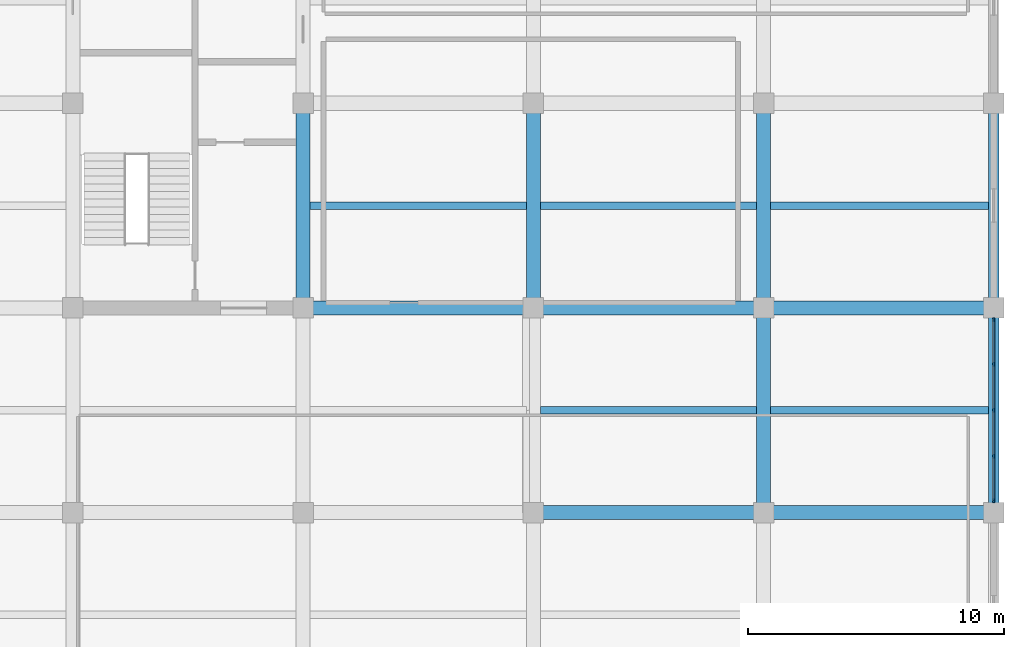
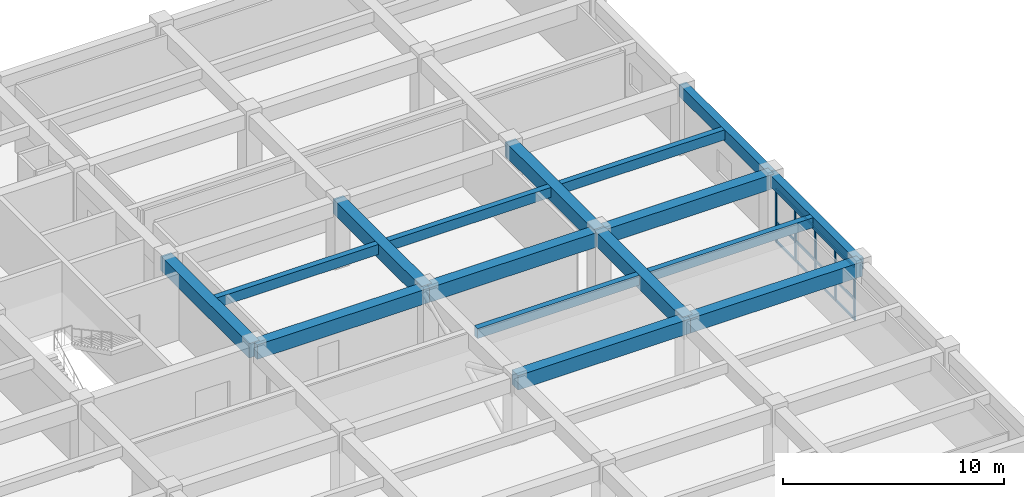
# One storey, part 7 of 16: 16 beams, 8 members, 1 element without a shape of its own.
"""IFC4 building model written with IfcOpenShell, lengths in metres."""

from ifc_helpers import new_model, si_unit, direction, frame, origin, origin_2d, place, context, subcontext, project, spatial, rectangle, extrude, material, material_profile, profile_set, type_object, element, aggregate, save


model = new_model("IFC4")

# Units and contexts
model_context = context("Model", 3, precision=1e-05, world=origin(), true_north=direction((0.0, 1.0)))
body_context = subcontext(model_context, "Body", "Model", "MODEL_VIEW")
ifc_project = project(units=[si_unit("LENGTHUNIT", "METRE"), si_unit("AREAUNIT", "SQUARE_METRE"), si_unit("VOLUMEUNIT", "CUBIC_METRE"), si_unit("PLANEANGLEUNIT", "RADIAN"), si_unit("MASSUNIT", "GRAM", prefix="KILO")], contexts=[model_context])

# Site, building, storey
site_placement = place(None, origin())
site = spatial("IfcSite", under=ifc_project, at=site_placement, CompositionType="ELEMENT")
building_placement = place(site_placement, origin())
building = spatial("IfcBuilding", under=site, at=building_placement, Name="Zaverband Oceanarium and Marine Research Institute", CompositionType="ELEMENT")
storey_placement = place(building_placement, frame((0.0, 0.0, 37.5)))
storey = spatial("IfcBuildingStorey", under=building, at=storey_placement, Name="L09", CompositionType="ELEMENT", Elevation=37.5)

# Beams
ifc_material_1 = material(Name="Concrete C40/50", Category="concrete")
ifc_material_profile_1 = material_profile(ifc_material_1, rectangle(XDim=0.550048828125, YDim=0.800048828125, at=origin_2d()), Name="RC550x800")
ifc_profile_set_1 = profile_set([ifc_material_profile_1], Name="Concrete C40/50")
beam_type_1 = type_object("IfcBeamType", Name="BM-550x800", PredefinedType="BEAM", material=ifc_profile_set_1)
for number, where, z_axis, x_axis, name in (
    (1, (54.0, 80.0, 3.25), (1.0, 0.0, 0.0), (0.0, 1.0, 0.0), "Primary floor girder BM-550x800"),
    (2, (63.0, 80.0, 3.25), (1.0, 0.0, 0.0), (0.0, 1.0, 0.0), "Primary floor girder BM-550x800"),
    (3, (45.0, 88.0, 3.25), (1.0, 0.0, 0.0), (0.0, 1.0, 0.0), "Primary floor girder BM-550x800"),
    (4, (54.0, 88.0, 3.25), (1.0, 0.0, 0.0), (0.0, 1.0, 0.0), "Primary floor girder BM-550x800"),
    (5, (63.0, 88.0, 3.25), (1.0, 0.0, 0.0), (0.0, 1.0, 0.0), "Primary floor girder BM-550x800"),
):
    element("IfcBeam", number, at=place(storey_placement, frame(where, z_axis=z_axis, x_axis=x_axis)), inside=storey, type_object=beam_type_1, Name=name, PredefinedType="BEAM", context=body_context, shape_type="SweptSolid", body=[
        extrude(rectangle(XDim=0.550048828125, YDim=0.800048828125, at=origin_2d()), origin(), (0.0, 0.0, 1.0), 9.0),
    ])
for number, where, z_axis, x_axis, name in (
    (6, (45.0, 88.0, 3.25), (0.0, 1.0, 0.0), (-1.0, 0.0, 0.0), "Primary floor girder BM-550x800"),
    (7, (54.0, 88.0, 3.25), (0.0, 1.0, 0.0), (-1.0, 0.0, 0.0), "Primary floor girder BM-550x800"),
    (8, (63.0, 80.0, 3.25), (0.0, 1.0, 0.0), (-1.0, 0.0, 0.0), "Primary floor girder BM-550x800"),
    (9, (63.0, 88.0, 3.25), (0.0, 1.0, 0.0), (-1.0, 0.0, 0.0), "Primary floor girder BM-550x800"),
):
    element("IfcBeam", number, at=place(storey_placement, frame(where, z_axis=z_axis, x_axis=x_axis)), inside=storey, type_object=beam_type_1, Name=name, PredefinedType="BEAM", context=body_context, shape_type="SweptSolid", body=[
        extrude(rectangle(XDim=0.550048828125, YDim=0.800048828125, at=origin_2d()), origin(), (0.0, 0.0, 1.0), 8.0),
    ])
ifc_material_profile_2 = material_profile(ifc_material_1, rectangle(XDim=0.300048828125, YDim=0.550048828125, at=origin_2d()), Name="RC300x550")
ifc_profile_set_2 = profile_set([ifc_material_profile_2], Name="Concrete C40/50")
beam_type_2 = type_object("IfcBeamType", Name="JST-300x550", PredefinedType="JOIST", material=ifc_profile_set_2)
for number, where, z_axis, x_axis, name in (
    (10, (45.27490234375, 92.0, 3.375), (1.0, 0.0, 0.0), (0.0, 1.0, 0.0), "Secondary floor joist JST-300x550"),
    (11, (54.27490234375, 84.0, 3.375), (1.0, 0.0, 0.0), (0.0, 1.0, 0.0), "Secondary floor joist JST-300x550"),
    (12, (54.27490234375, 92.0, 3.375), (1.0, 0.0, 0.0), (0.0, 1.0, 0.0), "Secondary floor joist JST-300x550"),
):
    element("IfcBeam", number, at=place(storey_placement, frame(where, z_axis=z_axis, x_axis=x_axis)), inside=storey, type_object=beam_type_2, Name=name, PredefinedType="JOIST", context=body_context, shape_type="SweptSolid", body=[
        extrude(rectangle(XDim=0.300048828125, YDim=0.550048828125, at=origin_2d()), origin(), (0.0, 0.0, 1.0), 8.4501953125),
    ])
for number, where, z_axis, x_axis, name in (
    (13, (63.27490234375, 84.0, 3.375), (1.0, 0.0, 0.0), (0.0, 1.0, 0.0), "Secondary floor joist JST-300x550"),
    (14, (63.27490234375, 92.0, 3.375), (1.0, 0.0, 0.0), (0.0, 1.0, 0.0), "Secondary floor joist JST-300x550"),
):
    element("IfcBeam", number, at=place(storey_placement, frame(where, z_axis=z_axis, x_axis=x_axis)), inside=storey, type_object=beam_type_2, Name=name, PredefinedType="JOIST", context=body_context, shape_type="SweptSolid", body=[
        extrude(rectangle(XDim=0.300048828125, YDim=0.550048828125, at=origin_2d()), origin(), (0.0, 0.0, 1.0), 8.525146484375),
    ])

# Curtain wall, members
ifc_material_2 = material(Name="Thermally broken anodized aluminium and solar-control glass", Category="aluminium")
curtain_wall_type = type_object("IfcCurtainWallType", Name="CW-UNIT-1800", PredefinedType="NOTDEFINED", material=ifc_material_2)
curtain_wall_placement = place(storey_placement, origin())
curtain_wall = element("IfcCurtainWall", 15, at=curtain_wall_placement, inside=storey, type_object=curtain_wall_type, Name="Unitised glazed curtain wall CW-111", PredefinedType="NOTDEFINED")
ifc_material_3 = material(Name="Thermally broken anodized aluminium", Category="aluminium")
ifc_material_profile_3 = material_profile(ifc_material_3, rectangle(XDim=0.070068359375, YDim=0.14990234375, at=origin_2d()), Name="AL-MUL-70x150")
ifc_profile_set_3 = profile_set([ifc_material_profile_3], Name="Thermally broken anodized aluminium")
member_type_1 = type_object("IfcMemberType", Name="MUL-70x150", PredefinedType="MULLION", material=ifc_profile_set_3)
member_1_placement = place(storey_placement, frame((72.0, 80.465087890625, 0.0), z_axis=(0.0, 0.0, 1.0), x_axis=(1.0, 0.0, 0.0)))
member_1 = element("IfcMember", 16, at=member_1_placement, type_object=member_type_1, Name="Curtain wall vertical mullion MUL-70x150", PredefinedType="MULLION", context=body_context, shape_type="SweptSolid", body=[
    extrude(rectangle(XDim=0.070068359375, YDim=0.14990234375, at=origin_2d()), origin(), (0.0, 0.0, 1.0), 2.97998046875),
])
member_2_placement = place(storey_placement, frame((72.0, 82.202392578125, 0.0), z_axis=(0.0, 0.0, 1.0), x_axis=(1.0, 0.0, 0.0)))
member_2 = element("IfcMember", 17, at=member_2_placement, type_object=member_type_1, Name="Curtain wall vertical mullion MUL-70x150", PredefinedType="MULLION", context=body_context, shape_type="SweptSolid", body=[
    extrude(rectangle(XDim=0.070068359375, YDim=0.14990234375, at=origin_2d()), origin(), (0.0, 0.0, 1.0), 2.97998046875),
])
member_3_placement = place(storey_placement, frame((72.0, 84.0, 0.0), z_axis=(0.0, 0.0, 1.0), x_axis=(1.0, 0.0, 0.0)))
member_3 = element("IfcMember", 18, at=member_3_placement, type_object=member_type_1, Name="Curtain wall vertical mullion MUL-70x150", PredefinedType="MULLION", context=body_context, shape_type="SweptSolid", body=[
    extrude(rectangle(XDim=0.070068359375, YDim=0.14990234375, at=origin_2d()), origin(), (0.0, 0.0, 1.0), 2.97998046875),
])
member_4_placement = place(storey_placement, frame((72.0, 85.797607421875, 0.0), z_axis=(0.0, 0.0, 1.0), x_axis=(1.0, 0.0, 0.0)))
member_4 = element("IfcMember", 19, at=member_4_placement, type_object=member_type_1, Name="Curtain wall vertical mullion MUL-70x150", PredefinedType="MULLION", context=body_context, shape_type="SweptSolid", body=[
    extrude(rectangle(XDim=0.070068359375, YDim=0.14990234375, at=origin_2d()), origin(), (0.0, 0.0, 1.0), 2.97998046875),
])
member_5_placement = place(storey_placement, frame((72.0, 87.534912109375, 0.0), z_axis=(0.0, 0.0, 1.0), x_axis=(1.0, 0.0, 0.0)))
member_5 = element("IfcMember", 20, at=member_5_placement, type_object=member_type_1, Name="Curtain wall vertical mullion MUL-70x150", PredefinedType="MULLION", context=body_context, shape_type="SweptSolid", body=[
    extrude(rectangle(XDim=0.070068359375, YDim=0.14990234375, at=origin_2d()), origin(), (0.0, 0.0, 1.0), 2.97998046875),
])

# Beams
ifc_material_profile_4 = material_profile(ifc_material_1, rectangle(XDim=0.39990234375, YDim=0.64990234375, at=origin_2d()), Name="RC400x650")
ifc_profile_set_4 = profile_set([ifc_material_profile_4], Name="Concrete C40/50")
beam_type_3 = type_object("IfcBeamType", Name="SPN-400x650", PredefinedType="SPANDREL", material=ifc_profile_set_4)
for number, where, z_axis, x_axis, name in (
    (21, (72.0, 80.0, 3.324951171875), (0.0, 1.0, 0.0), (-1.0, 0.0, 0.0), "Perimeter spandrel beam SPN-400x650"),
    (22, (72.0, 88.0, 3.324951171875), (0.0, 1.0, 0.0), (-1.0, 0.0, 0.0), "Perimeter spandrel beam SPN-400x650"),
):
    element("IfcBeam", number, at=place(storey_placement, frame(where, z_axis=z_axis, x_axis=x_axis)), inside=storey, type_object=beam_type_3, Name=name, PredefinedType="SPANDREL", context=body_context, shape_type="SweptSolid", body=[
        extrude(rectangle(XDim=0.39990234375, YDim=0.64990234375, at=origin_2d()), origin(), (0.0, 0.0, 1.0), 8.0),
    ])

# Member
ifc_material_profile_5 = material_profile(ifc_material_3, rectangle(XDim=0.070068359375, YDim=0.114990234375, at=origin_2d()), Name="AL-TRN-70x115")
ifc_profile_set_5 = profile_set([ifc_material_profile_5], Name="Thermally broken anodized aluminium")
member_type_2 = type_object("IfcMemberType", Name="TRN-70x115", PredefinedType="USERDEFINED", material=ifc_profile_set_5)
member_6_placement = place(storey_placement, frame((72.0, 80.465087890625, 0.050048828125), z_axis=(0.0, 1.0, 0.0), x_axis=(-1.0, 0.0, 0.0)))
member_6 = element("IfcMember", 23, at=member_6_placement, type_object=member_type_2, Name="Curtain wall horizontal transom TRN-70x115", ObjectType="TRANSOM", PredefinedType="USERDEFINED", context=body_context, shape_type="SweptSolid", body=[
    extrude(rectangle(XDim=0.070068359375, YDim=0.114990234375, at=origin_2d()), origin(), (0.0, 0.0, 1.0), 7.06982421875),
])

member_7_placement = place(storey_placement, frame((72.0, 80.465087890625, 1.123046875), z_axis=(0.0, 1.0, 0.0), x_axis=(-1.0, 0.0, 0.0)))
member_7 = element("IfcMember", 24, at=member_7_placement, type_object=member_type_2, Name="Curtain wall horizontal transom TRN-70x115", ObjectType="TRANSOM", PredefinedType="USERDEFINED", context=body_context, shape_type="SweptSolid", body=[
    extrude(rectangle(XDim=0.070068359375, YDim=0.114990234375, at=origin_2d()), origin(), (0.0, 0.0, 1.0), 7.06982421875),
])

member_8_placement = place(storey_placement, frame((72.0, 80.465087890625, 2.929931640625), z_axis=(0.0, 1.0, 0.0), x_axis=(-1.0, 0.0, 0.0)))
member_8 = element("IfcMember", 25, at=member_8_placement, type_object=member_type_2, Name="Curtain wall horizontal transom TRN-70x115", ObjectType="TRANSOM", PredefinedType="USERDEFINED", context=body_context, shape_type="SweptSolid", body=[
    extrude(rectangle(XDim=0.070068359375, YDim=0.114990234375, at=origin_2d()), origin(), (0.0, 0.0, 1.0), 7.06982421875),
])

aggregate(curtain_wall, [member_1, member_2, member_3, member_4, member_5, member_6, member_7, member_8])

save(model, "model.ifc")
